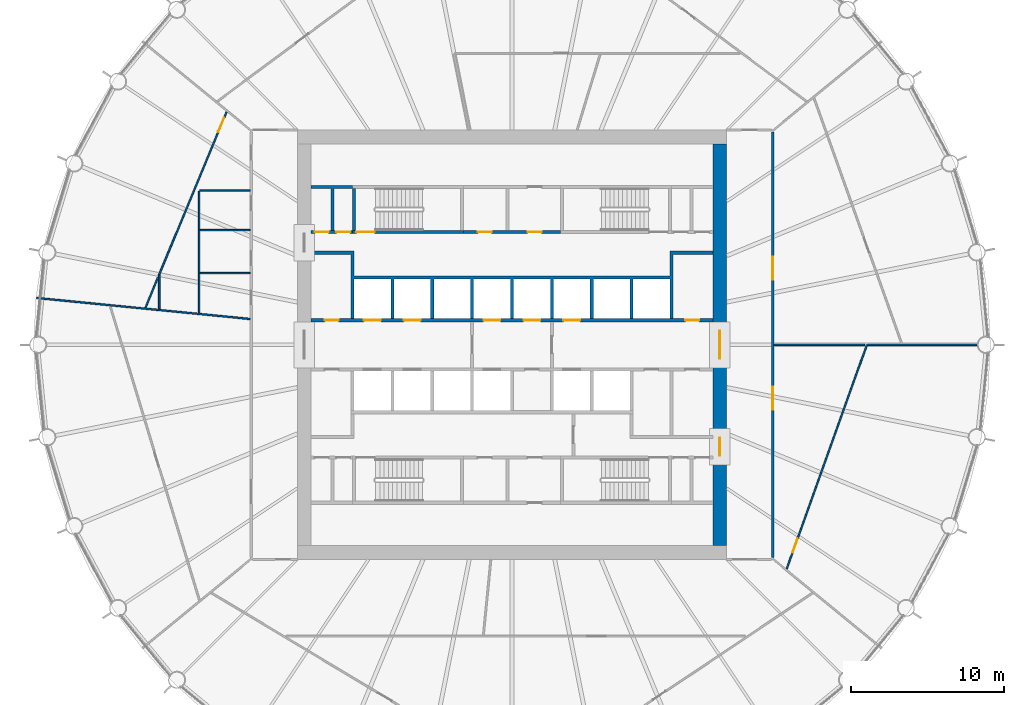
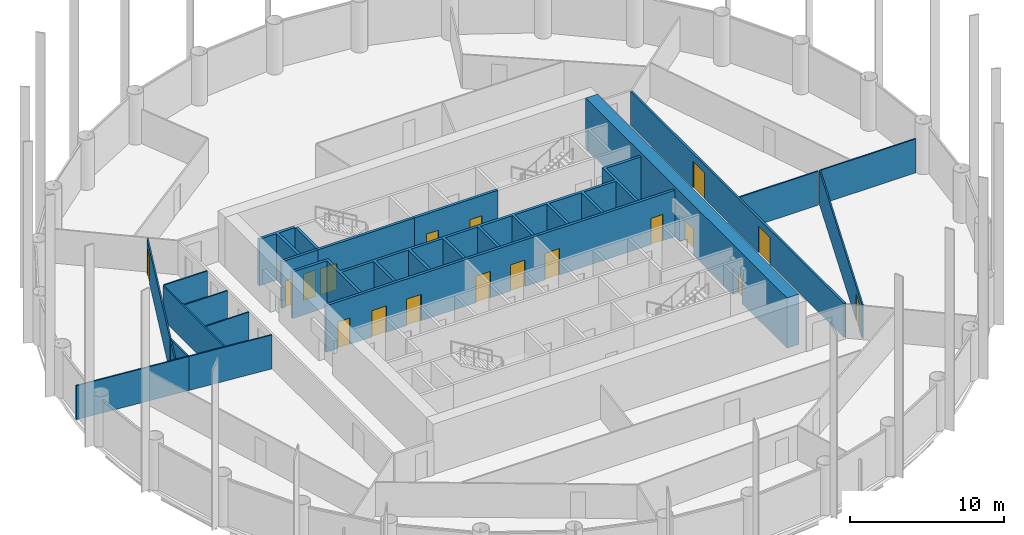
# One storey, part 6 of 9: 21 walls, 18 doors, 18 openings.
"""IFC4 building model written with IfcOpenShell, lengths in metres."""

from ifc_helpers import new_model, si_unit, direction, frame, frame_2d, origin, place, context, subcontext, project, spatial, polyline, rectangle, outline, extrude, material, layer, layer_set, type_object, element, fill, save


model = new_model("IFC4")

# Units and contexts
model_context = context("Model", 3, precision=1e-05, world=origin(), true_north=direction((0.0, 1.0)))
body_context = subcontext(model_context, "Body", "Model", "MODEL_VIEW")
ifc_project = project(units=[si_unit("LENGTHUNIT", "METRE"), si_unit("AREAUNIT", "SQUARE_METRE"), si_unit("VOLUMEUNIT", "CUBIC_METRE"), si_unit("PLANEANGLEUNIT", "RADIAN"), si_unit("MASSUNIT", "GRAM", prefix="KILO")], contexts=[model_context])

# Site, building, storey
site_placement = place(None, origin())
site = spatial("IfcSite", under=ifc_project, at=site_placement, CompositionType="ELEMENT")
building_placement = place(site_placement, origin())
building = spatial("IfcBuilding", under=site, at=building_placement, Name="Corvane Civic Tower", CompositionType="ELEMENT")
storey_placement = place(building_placement, frame((0.0, 0.0, 160.0)))
storey = spatial("IfcBuildingStorey", under=building, at=storey_placement, Name="L37", CompositionType="ELEMENT", Elevation=160.0)

# Wall, openings, doors
ifc_material_1 = material(Name="Concrete C60/75", Category="concrete")
ifc_layer_1 = layer(ifc_material_1, 0.89990234375)
ifc_layer_set_1 = layer_set([ifc_layer_1], Name="Concrete C60/75")
wall_type_1 = type_object("IfcWallType", Name="CORE WALL 900 C60/75", PredefinedType="SHEAR", material=ifc_layer_set_1)
wall_1_placement = place(storey_placement, frame((13.550048828125, -13.10009765625, 0.0), z_axis=(0.0, 0.0, 1.0), x_axis=(0.0, 1.0, 0.0)))
wall_1 = element("IfcWall", 1, at=wall_1_placement, inside=storey, type_object=wall_type_1, Name="W-L37-core-E", PredefinedType="SHEAR", context=body_context, shape_type="SweptSolid", body=[
    extrude(rectangle(XDim=26.2001953125, YDim=0.89990234375, at=frame_2d((13.10009765625, 0.0))), origin(), (0.0, 0.0, 1.0), 4.0),
])
opening_1_placement = place(wall_1_placement, frame((12.199951171875, 0.0, 0.0)))
opening_1 = element("IfcOpeningElement", 2, at=opening_1_placement, cuts=wall_1, Name="Opening L37.C29", PredefinedType="OPENING", context=body_context, shape_type="SweptSolid", body=[
    extrude(rectangle(XDim=1.800048828125, YDim=2.10009765625, at=frame_2d((0.89990234375, 1.050048828125))), frame((0.0, 0.4599609375, 0.0), z_axis=(0.0, -1.0, 0.0), x_axis=(1.0, 0.0, 0.0)), (0.0, 0.0, 1.0), 0.919921875),
])
opening_2_placement = place(wall_1_placement, frame((5.85009765625, 0.0, 0.0)))
opening_2 = element("IfcOpeningElement", 3, at=opening_2_placement, cuts=wall_1, Name="Opening L37.C31", PredefinedType="OPENING", context=body_context, shape_type="SweptSolid", body=[
    extrude(rectangle(XDim=1.199951171875, YDim=2.10009765625, at=frame_2d((0.60009765625, 1.050048828125))), frame((0.0, 0.4599609375, 0.0), z_axis=(0.0, -1.0, 0.0), x_axis=(1.0, 0.0, 0.0)), (0.0, 0.0, 1.0), 0.919921875),
])
ifc_material_2 = material(Name="Steel fire door leaf", Category="steel")
door_type_1 = type_object("IfcDoorType", Name="CR-DOOR-CORE-1800", OperationType="DOUBLE_DOOR_SINGLE_SWING", PredefinedType="DOOR", material=ifc_material_2)
door_1_placement = place(opening_1_placement, origin())
door_1 = element("IfcDoor", 4, at=door_1_placement, inside=storey, type_object=door_type_1, Name="L37 door", OperationType="DOUBLE_DOOR_SINGLE_SWING", OverallHeight=2.10009765625, OverallWidth=1.800048828125, PredefinedType="DOOR", context=body_context, shape_type="SweptSolid", body=[
    extrude(rectangle(XDim=1.800048828125, YDim=2.10009765625, at=frame_2d((0.89990234375, 1.050048828125))), frame((0.0, 0.02490234375, 0.0), z_axis=(0.0, -1.0, 0.0), x_axis=(1.0, 0.0, 0.0)), (0.0, 0.0, 1.0), 0.050048828125),
])
fill(opening_1, door_1)
door_2_placement = place(opening_2_placement, origin())
door_2 = element("IfcDoor", 5, at=door_2_placement, inside=storey, type_object=door_type_1, Name="L37 door", OperationType="DOUBLE_DOOR_SINGLE_SWING", OverallHeight=2.10009765625, OverallWidth=1.199951171875, PredefinedType="DOOR", context=body_context, shape_type="SweptSolid", body=[
    extrude(rectangle(XDim=1.199951171875, YDim=2.10009765625, at=frame_2d((0.60009765625, 1.050048828125))), frame((0.0, 0.02490234375, 0.0), z_axis=(0.0, -1.0, 0.0), x_axis=(1.0, 0.0, 0.0)), (0.0, 0.0, 1.0), 0.050048828125),
])
fill(opening_2, door_2)

ifc_material_3 = material(Name="Concrete C30/37", Category="concrete")
ifc_layer_2 = layer(ifc_material_3, 0.199951171875)
ifc_layer_set_2 = layer_set([ifc_layer_2], Name="Concrete C30/37")
wall_type_2 = type_object("IfcWallType", Name="CR-WALL-200", PredefinedType="PARTITIONING", material=ifc_layer_set_2)
wall_2_placement = place(storey_placement, frame((-13.10009765625, 1.60009765625, 0.0), z_axis=(0.0, 0.0, 1.0), x_axis=(1.0, 0.0, 0.0)))
wall_2 = element("IfcWall", 6, at=wall_2_placement, inside=storey, type_object=wall_type_2, Name="L37 lift shaft wall", PredefinedType="PARTITIONING", context=body_context, shape_type="SweptSolid", body=[
    extrude(rectangle(XDim=26.2001953125, YDim=0.199951171875, at=frame_2d((13.10009765625, 0.0))), origin(), (0.0, 0.0, 1.0), 3.699951171875),
])
opening_3_placement = place(wall_2_placement, frame((3.449951171875, 0.0, 0.0)))
opening_3 = element("IfcOpeningElement", 7, at=opening_3_placement, cuts=wall_2, Name="Opening LD", PredefinedType="OPENING", context=body_context, shape_type="SweptSolid", body=[
    extrude(rectangle(XDim=1.10009765625, YDim=2.10009765625, at=frame_2d((0.550048828125, 1.050048828125))), frame((0.0, 0.10986328125, 0.0), z_axis=(0.0, -1.0, 0.0), x_axis=(1.0, 0.0, 0.0)), (0.0, 0.0, 1.0), 0.219970703125),
])
opening_4_placement = place(wall_2_placement, frame((6.050048828125, 0.0, 0.0)))
opening_4 = element("IfcOpeningElement", 8, at=opening_4_placement, cuts=wall_2, Name="Opening LD", PredefinedType="OPENING", context=body_context, shape_type="SweptSolid", body=[
    extrude(rectangle(XDim=1.10009765625, YDim=2.10009765625, at=frame_2d((0.550048828125, 1.050048828125))), frame((0.0, 0.10986328125, 0.0), z_axis=(0.0, -1.0, 0.0), x_axis=(1.0, 0.0, 0.0)), (0.0, 0.0, 1.0), 0.219970703125),
])
opening_5_placement = place(wall_2_placement, frame((11.25, 0.0, 0.0)))
opening_5 = element("IfcOpeningElement", 9, at=opening_5_placement, cuts=wall_2, Name="Opening LD", PredefinedType="OPENING", context=body_context, shape_type="SweptSolid", body=[
    extrude(rectangle(XDim=1.10009765625, YDim=2.10009765625, at=frame_2d((0.550048828125, 1.050048828125))), frame((0.0, 0.10986328125, 0.0), z_axis=(0.0, -1.0, 0.0), x_axis=(1.0, 0.0, 0.0)), (0.0, 0.0, 1.0), 0.219970703125),
])
opening_6_placement = place(wall_2_placement, frame((13.85009765625, 0.0, 0.0)))
opening_6 = element("IfcOpeningElement", 10, at=opening_6_placement, cuts=wall_2, Name="Opening LD", PredefinedType="OPENING", context=body_context, shape_type="SweptSolid", body=[
    extrude(rectangle(XDim=1.10009765625, YDim=2.10009765625, at=frame_2d((0.550048828125, 1.050048828125))), frame((0.0, 0.10986328125, 0.0), z_axis=(0.0, -1.0, 0.0), x_axis=(1.0, 0.0, 0.0)), (0.0, 0.0, 1.0), 0.219970703125),
])
opening_7_placement = place(wall_2_placement, frame((16.449951171875, 0.0, 0.0)))
opening_7 = element("IfcOpeningElement", 11, at=opening_7_placement, cuts=wall_2, Name="Opening LD", PredefinedType="OPENING", context=body_context, shape_type="SweptSolid", body=[
    extrude(rectangle(XDim=1.10009765625, YDim=2.10009765625, at=frame_2d((0.550048828125, 1.050048828125))), frame((0.0, 0.10986328125, 0.0), z_axis=(0.0, -1.0, 0.0), x_axis=(1.0, 0.0, 0.0)), (0.0, 0.0, 1.0), 0.219970703125),
])
opening_8_placement = place(wall_2_placement, frame((0.89990234375, 0.0, 0.0)))
opening_8 = element("IfcOpeningElement", 12, at=opening_8_placement, cuts=wall_2, Name="Opening L37.C01", PredefinedType="OPENING", context=body_context, shape_type="SweptSolid", body=[
    extrude(rectangle(XDim=0.89990234375, YDim=2.10009765625, at=frame_2d((0.449951171875, 1.050048828125))), frame((0.0, 0.10986328125, 0.0), z_axis=(0.0, -1.0, 0.0), x_axis=(1.0, 0.0, 0.0)), (0.0, 0.0, 1.0), 0.219970703125),
])
opening_9_placement = place(wall_2_placement, frame((24.39990234375, 0.0, 0.0)))
opening_9 = element("IfcOpeningElement", 13, at=opening_9_placement, cuts=wall_2, Name="Opening L37.C02", PredefinedType="OPENING", context=body_context, shape_type="SweptSolid", body=[
    extrude(rectangle(XDim=0.89990234375, YDim=2.10009765625, at=frame_2d((0.449951171875, 1.050048828125))), frame((0.0, 0.10986328125, 0.0), z_axis=(0.0, -1.0, 0.0), x_axis=(1.0, 0.0, 0.0)), (0.0, 0.0, 1.0), 0.219970703125),
])
ifc_material_4 = material(Name="Steel fire door leaf", Category="steel")
door_type_2 = type_object("IfcDoorType", Name="CR-DOOR-900", OperationType="SINGLE_SWING_LEFT", PredefinedType="DOOR", material=ifc_material_4)
door_3_placement = place(opening_8_placement, origin())
door_3 = element("IfcDoor", 14, at=door_3_placement, inside=storey, type_object=door_type_2, Name="L37 door", OperationType="SINGLE_SWING_LEFT", OverallHeight=2.10009765625, OverallWidth=0.89990234375, PredefinedType="DOOR", context=body_context, shape_type="SweptSolid", body=[
    extrude(rectangle(XDim=0.89990234375, YDim=2.10009765625, at=frame_2d((0.449951171875, 1.050048828125))), frame((0.0, 0.02490234375, 0.0), z_axis=(0.0, -1.0, 0.0), x_axis=(1.0, 0.0, 0.0)), (0.0, 0.0, 1.0), 0.050048828125),
])
fill(opening_8, door_3)
door_4_placement = place(opening_9_placement, origin())
door_4 = element("IfcDoor", 15, at=door_4_placement, inside=storey, type_object=door_type_2, Name="L37 door", OperationType="SINGLE_SWING_LEFT", OverallHeight=2.10009765625, OverallWidth=0.89990234375, PredefinedType="DOOR", context=body_context, shape_type="SweptSolid", body=[
    extrude(rectangle(XDim=0.89990234375, YDim=2.10009765625, at=frame_2d((0.449951171875, 1.050048828125))), frame((0.0, 0.02490234375, 0.0), z_axis=(0.0, -1.0, 0.0), x_axis=(1.0, 0.0, 0.0)), (0.0, 0.0, 1.0), 0.050048828125),
])
fill(opening_9, door_4)
ifc_material_5 = material(Name="Stainless steel 316 door leaves", Category="steel")
door_type_3 = type_object("IfcDoorType", Name="LD", OperationType="DOUBLE_DOOR_SLIDING", PredefinedType="DOOR", material=ifc_material_5)
door_5_placement = place(opening_3_placement, origin())
door_5 = element("IfcDoor", 16, at=door_5_placement, inside=storey, type_object=door_type_3, Name="L37 landing door", OperationType="DOUBLE_DOOR_SLIDING", OverallHeight=2.10009765625, OverallWidth=1.10009765625, PredefinedType="DOOR", context=body_context, shape_type="SweptSolid", body=[
    extrude(rectangle(XDim=1.10009765625, YDim=2.10009765625, at=frame_2d((0.550048828125, 1.050048828125))), frame((0.0, 0.02490234375, 0.0), z_axis=(0.0, -1.0, 0.0), x_axis=(1.0, 0.0, 0.0)), (0.0, 0.0, 1.0), 0.050048828125),
])
fill(opening_3, door_5)
door_6_placement = place(opening_4_placement, origin())
door_6 = element("IfcDoor", 17, at=door_6_placement, inside=storey, type_object=door_type_3, Name="L37 landing door", OperationType="DOUBLE_DOOR_SLIDING", OverallHeight=2.10009765625, OverallWidth=1.10009765625, PredefinedType="DOOR", context=body_context, shape_type="SweptSolid", body=[
    extrude(rectangle(XDim=1.10009765625, YDim=2.10009765625, at=frame_2d((0.550048828125, 1.050048828125))), frame((0.0, 0.02490234375, 0.0), z_axis=(0.0, -1.0, 0.0), x_axis=(1.0, 0.0, 0.0)), (0.0, 0.0, 1.0), 0.050048828125),
])
fill(opening_4, door_6)
door_7_placement = place(opening_5_placement, origin())
door_7 = element("IfcDoor", 18, at=door_7_placement, inside=storey, type_object=door_type_3, Name="L37 landing door", OperationType="DOUBLE_DOOR_SLIDING", OverallHeight=2.10009765625, OverallWidth=1.10009765625, PredefinedType="DOOR", context=body_context, shape_type="SweptSolid", body=[
    extrude(rectangle(XDim=1.10009765625, YDim=2.10009765625, at=frame_2d((0.550048828125, 1.050048828125))), frame((0.0, 0.02490234375, 0.0), z_axis=(0.0, -1.0, 0.0), x_axis=(1.0, 0.0, 0.0)), (0.0, 0.0, 1.0), 0.050048828125),
])
fill(opening_5, door_7)
door_8_placement = place(opening_6_placement, origin())
door_8 = element("IfcDoor", 19, at=door_8_placement, inside=storey, type_object=door_type_3, Name="L37 landing door", OperationType="DOUBLE_DOOR_SLIDING", OverallHeight=2.10009765625, OverallWidth=1.10009765625, PredefinedType="DOOR", context=body_context, shape_type="SweptSolid", body=[
    extrude(rectangle(XDim=1.10009765625, YDim=2.10009765625, at=frame_2d((0.550048828125, 1.050048828125))), frame((0.0, 0.02490234375, 0.0), z_axis=(0.0, -1.0, 0.0), x_axis=(1.0, 0.0, 0.0)), (0.0, 0.0, 1.0), 0.050048828125),
])
fill(opening_6, door_8)
door_9_placement = place(opening_7_placement, origin())
door_9 = element("IfcDoor", 20, at=door_9_placement, inside=storey, type_object=door_type_3, Name="L37 landing door", OperationType="DOUBLE_DOOR_SLIDING", OverallHeight=2.10009765625, OverallWidth=1.10009765625, PredefinedType="DOOR", context=body_context, shape_type="SweptSolid", body=[
    extrude(rectangle(XDim=1.10009765625, YDim=2.10009765625, at=frame_2d((0.550048828125, 1.050048828125))), frame((0.0, 0.02490234375, 0.0), z_axis=(0.0, -1.0, 0.0), x_axis=(1.0, 0.0, 0.0)), (0.0, 0.0, 1.0), 0.050048828125),
])
fill(opening_7, door_9)

wall_3_placement = place(storey_placement, frame((-13.10009765625, 7.35009765625, 0.0), z_axis=(0.0, 0.0, 1.0), x_axis=(1.0, 0.0, 0.0)))
wall_3 = element("IfcWall", 21, at=wall_3_placement, inside=storey, type_object=wall_type_2, Name="L37 core partition wall", PredefinedType="PARTITIONING", context=body_context, shape_type="SweptSolid", body=[
    extrude(rectangle(XDim=2.7001953125, YDim=0.199951171875, at=frame_2d((1.35009765625, 0.0))), origin(), (0.0, 0.0, 1.0), 3.699951171875),
])
opening_10_placement = place(wall_3_placement, frame((0.25, 0.0, 0.0)))
opening_10 = element("IfcOpeningElement", 22, at=opening_10_placement, cuts=wall_3, Name="Opening L37.C13", PredefinedType="OPENING", context=body_context, shape_type="SweptSolid", body=[
    extrude(rectangle(XDim=0.89990234375, YDim=2.10009765625, at=frame_2d((0.449951171875, 1.050048828125))), frame((0.0, 0.10986328125, 0.0), z_axis=(0.0, -1.0, 0.0), x_axis=(1.0, 0.0, 0.0)), (0.0, 0.0, 1.0), 0.219970703125),
])
opening_11_placement = place(wall_3_placement, frame((1.64990234375, 0.0, 0.0)))
opening_11 = element("IfcOpeningElement", 23, at=opening_11_placement, cuts=wall_3, Name="Opening L37.C14", PredefinedType="OPENING", context=body_context, shape_type="SweptSolid", body=[
    extrude(rectangle(XDim=0.89990234375, YDim=2.10009765625, at=frame_2d((0.449951171875, 1.050048828125))), frame((0.0, 0.10986328125, 0.0), z_axis=(0.0, -1.0, 0.0), x_axis=(1.0, 0.0, 0.0)), (0.0, 0.0, 1.0), 0.219970703125),
])
door_10_placement = place(opening_10_placement, origin())
door_10 = element("IfcDoor", 24, at=door_10_placement, inside=storey, type_object=door_type_2, Name="L37 door", OperationType="SINGLE_SWING_LEFT", OverallHeight=2.10009765625, OverallWidth=0.89990234375, PredefinedType="DOOR", context=body_context, shape_type="SweptSolid", body=[
    extrude(rectangle(XDim=0.89990234375, YDim=2.10009765625, at=frame_2d((0.449951171875, 1.050048828125))), frame((0.0, 0.02490234375, 0.0), z_axis=(0.0, -1.0, 0.0), x_axis=(1.0, 0.0, 0.0)), (0.0, 0.0, 1.0), 0.050048828125),
])
fill(opening_10, door_10)
door_11_placement = place(opening_11_placement, origin())
door_11 = element("IfcDoor", 25, at=door_11_placement, inside=storey, type_object=door_type_2, Name="L37 door", OperationType="SINGLE_SWING_LEFT", OverallHeight=2.10009765625, OverallWidth=0.89990234375, PredefinedType="DOOR", context=body_context, shape_type="SweptSolid", body=[
    extrude(rectangle(XDim=0.89990234375, YDim=2.10009765625, at=frame_2d((0.449951171875, 1.050048828125))), frame((0.0, 0.02490234375, 0.0), z_axis=(0.0, -1.0, 0.0), x_axis=(1.0, 0.0, 0.0)), (0.0, 0.0, 1.0), 0.050048828125),
])
fill(opening_11, door_11)

wall_4_placement = place(storey_placement, frame((-3.14990234375, 7.35009765625, 0.0), z_axis=(0.0, 0.0, 1.0), x_axis=(1.0, 0.0, 0.0)))
wall_4 = element("IfcWall", 26, at=wall_4_placement, inside=storey, type_object=wall_type_2, Name="L37 core partition wall", PredefinedType="PARTITIONING", context=body_context, shape_type="SweptSolid", body=[
    extrude(rectangle(XDim=6.2998046875, YDim=0.199951171875, at=frame_2d((3.14990234375, 0.0))), origin(), (0.0, 0.0, 1.0), 3.699951171875),
])
opening_12_placement = place(wall_4_placement, frame((0.925048828125, 0.0, 0.0)))
opening_12 = element("IfcOpeningElement", 27, at=opening_12_placement, cuts=wall_4, Name="Opening L37.C07", PredefinedType="OPENING", context=body_context, shape_type="SweptSolid", body=[
    extrude(rectangle(XDim=0.89990234375, YDim=2.10009765625, at=frame_2d((0.449951171875, 1.050048828125))), frame((0.0, 0.10986328125, 0.0), z_axis=(0.0, -1.0, 0.0), x_axis=(1.0, 0.0, 0.0)), (0.0, 0.0, 1.0), 0.219970703125),
])
opening_13_placement = place(wall_4_placement, frame((4.175048828125, 0.0, 0.0)))
opening_13 = element("IfcOpeningElement", 28, at=opening_13_placement, cuts=wall_4, Name="Opening L37.C08", PredefinedType="OPENING", context=body_context, shape_type="SweptSolid", body=[
    extrude(rectangle(XDim=0.89990234375, YDim=2.10009765625, at=frame_2d((0.449951171875, 1.050048828125))), frame((0.0, 0.10986328125, 0.0), z_axis=(0.0, -1.0, 0.0), x_axis=(1.0, 0.0, 0.0)), (0.0, 0.0, 1.0), 0.219970703125),
])
door_12_placement = place(opening_12_placement, origin())
door_12 = element("IfcDoor", 29, at=door_12_placement, inside=storey, type_object=door_type_2, Name="L37 door", OperationType="SINGLE_SWING_LEFT", OverallHeight=2.10009765625, OverallWidth=0.89990234375, PredefinedType="DOOR", context=body_context, shape_type="SweptSolid", body=[
    extrude(rectangle(XDim=0.89990234375, YDim=2.10009765625, at=frame_2d((0.449951171875, 1.050048828125))), frame((0.0, 0.02490234375, 0.0), z_axis=(0.0, -1.0, 0.0), x_axis=(1.0, 0.0, 0.0)), (0.0, 0.0, 1.0), 0.050048828125),
])
fill(opening_12, door_12)
door_13_placement = place(opening_13_placement, origin())
door_13 = element("IfcDoor", 30, at=door_13_placement, inside=storey, type_object=door_type_2, Name="L37 door", OperationType="SINGLE_SWING_LEFT", OverallHeight=2.10009765625, OverallWidth=0.89990234375, PredefinedType="DOOR", context=body_context, shape_type="SweptSolid", body=[
    extrude(rectangle(XDim=0.89990234375, YDim=2.10009765625, at=frame_2d((0.449951171875, 1.050048828125))), frame((0.0, 0.02490234375, 0.0), z_axis=(0.0, -1.0, 0.0), x_axis=(1.0, 0.0, 0.0)), (0.0, 0.0, 1.0), 0.050048828125),
])
fill(opening_13, door_13)

# Walls
wall_5_placement = place(storey_placement, origin())
element("IfcWall", 31, at=wall_5_placement, inside=storey, type_object=wall_type_2, Name="L37 core partition wall", PredefinedType="PARTITIONING", context=body_context, shape_type="SweptSolid", body=[
    extrude(outline(polyline([(-13.10009765625, 10.39990234375), (-10.39990234375, 10.39990234375), (-10.39990234375, 10.199951171875), (-11.60009765625, 10.199951171875), (-11.60009765625, 7.449951171875), (-11.800048828125, 7.449951171875), (-11.800048828125, 10.199951171875), (-13.10009765625, 10.199951171875), (-13.10009765625, 10.39990234375)])), origin(), (0.0, 0.0, 1.0), 3.699951171875),
])
wall_6_placement = place(storey_placement, origin())
element("IfcWall", 32, at=wall_6_placement, inside=storey, type_object=wall_type_2, Name="L37 core partition wall", PredefinedType="PARTITIONING", context=body_context, shape_type="SweptSolid", body=[
    extrude(outline(polyline([(-10.300048828125, 1.699951171875), (-10.5, 1.699951171875), (-10.5, 5.89990234375), (-13.10009765625, 5.89990234375), (-13.10009765625, 6.10009765625), (-10.300048828125, 6.10009765625), (-10.300048828125, 4.5), (10.300048828125, 4.5), (10.300048828125, 6.10009765625), (13.10009765625, 6.10009765625), (13.10009765625, 5.89990234375), (10.5, 5.89990234375), (10.5, 1.699951171875), (10.300048828125, 1.699951171875), (10.300048828125, 4.300048828125), (7.89990234375, 4.300048828125), (7.89990234375, 1.699951171875), (7.699951171875, 1.699951171875), (7.699951171875, 4.300048828125), (5.300048828125, 4.300048828125), (5.300048828125, 1.699951171875), (5.10009765625, 1.699951171875), (5.10009765625, 4.300048828125), (2.699951171875, 4.300048828125), (2.699951171875, 1.699951171875), (2.5, 1.699951171875), (2.5, 4.300048828125), (0.10009765625, 4.300048828125), (0.10009765625, 1.699951171875), (-0.10009765625, 1.699951171875), (-0.10009765625, 4.300048828125), (-2.5, 4.300048828125), (-2.5, 1.699951171875), (-2.699951171875, 1.699951171875), (-2.699951171875, 4.300048828125), (-5.10009765625, 4.300048828125), (-5.10009765625, 1.699951171875), (-5.300048828125, 1.699951171875), (-5.300048828125, 4.300048828125), (-7.699951171875, 4.300048828125), (-7.699951171875, 1.699951171875), (-7.89990234375, 1.699951171875), (-7.89990234375, 4.300048828125), (-10.300048828125, 4.300048828125), (-10.300048828125, 1.699951171875)])), origin(), (0.0, 0.0, 1.0), 3.699951171875),
])

# Wall, opening, door
ifc_material_6 = material(Name="Plasterboard")
ifc_layer_3 = layer(ifc_material_6, 0.10009765625)
ifc_layer_set_3 = layer_set([ifc_layer_3], Name="Plasterboard")
wall_type_3 = type_object("IfcWallType", Name="Partition 100 plasterboard on studs", PredefinedType="PARTITIONING", material=ifc_layer_set_3)
wall_7_placement = place(storey_placement, frame((17.911865234375, -14.61328125, 0.0), z_axis=(0.0, 0.0, 1.0), x_axis=(0.336892373853, 0.941543163344, 0.0)))
wall_7 = element("IfcWall", 33, at=wall_7_placement, inside=storey, type_object=wall_type_3, Name="Partition L37.011", PredefinedType="PARTITIONING", context=body_context, shape_type="SweptSolid", body=[
    extrude(rectangle(XDim=15.5205078125, YDim=0.10009765625, at=frame_2d((7.76025390625, 0.0))), origin(), (0.0, 0.0, 1.0), 2.699951171875),
])
opening_14_placement = place(wall_7_placement, frame((1.111328125, 0.0, 0.0)))
opening_14 = element("IfcOpeningElement", 34, at=opening_14_placement, cuts=wall_7, Name="Opening L37.014", PredefinedType="OPENING", context=body_context, shape_type="SweptSolid", body=[
    extrude(rectangle(XDim=1.0, YDim=2.10009765625, at=frame_2d((0.5, 1.050048828125))), frame((0.0, 0.06005859375, 0.0), z_axis=(0.0, -1.0, 0.0), x_axis=(1.0, 0.0, 0.0)), (0.0, 0.0, 1.0), 0.1201171875),
])
ifc_material_7 = material(Name="Timber", Category="wood")
door_type_4 = type_object("IfcDoorType", Name="Single door 1000", OperationType="NOTDEFINED", PredefinedType="DOOR", material=ifc_material_7)
door_14_placement = place(opening_14_placement, frame((1.0, 0.0, 0.0), z_axis=(0.0, 0.0, 1.0), x_axis=(-1.0, 0.0, 0.0)))
door_14 = element("IfcDoor", 35, at=door_14_placement, inside=storey, type_object=door_type_4, Name="Door L37.014", OperationType="SINGLE_SWING_LEFT", OverallHeight=2.10009765625, OverallWidth=1.0, PredefinedType="DOOR", context=body_context, shape_type="SweptSolid", body=[
    extrude(rectangle(XDim=1.0, YDim=2.10009765625, at=frame_2d((0.5, 1.050048828125))), frame((0.0, 0.02490234375, 0.0), z_axis=(0.0, -1.0, 0.0), x_axis=(1.0, 0.0, 0.0)), (0.0, 0.0, 1.0), 0.050048828125),
])
fill(opening_14, door_14)

# Walls
wall_8_placement = place(storey_placement, frame((17.074951171875, 0.0, 0.0), z_axis=(0.0, 0.0, 1.0), x_axis=(1.0, 0.0, 0.0)))
element("IfcWall", 36, at=wall_8_placement, inside=storey, type_object=wall_type_3, Name="Partition L37.016", PredefinedType="PARTITIONING", context=body_context, shape_type="SweptSolid", body=[
    extrude(rectangle(XDim=5.925048828125, YDim=0.10009765625, at=frame_2d((2.96240234375, 0.0))), origin(), (0.0, 0.0, 1.0), 2.699951171875),
])
wall_9_placement = place(storey_placement, frame((23.1806640625, 0.0, 0.0), z_axis=(0.0, 0.0, 1.0), x_axis=(1.0, 0.0, 0.0)))
element("IfcWall", 37, at=wall_9_placement, inside=storey, type_object=wall_type_3, Name="Partition L37.017", PredefinedType="PARTITIONING", context=body_context, shape_type="SweptSolid", body=[
    extrude(rectangle(XDim=7.1591796875, YDim=0.10009765625, at=frame_2d((3.57958984375, 0.0))), origin(), (0.0, 0.0, 1.0), 2.699951171875),
])
wall_10_placement = place(storey_placement, frame((-23.0, 2.265380859375, 0.0), z_axis=(0.0, 0.0, 1.0), x_axis=(0.995181996219, -0.098044859127, 0.0)))
element("IfcWall", 38, at=wall_10_placement, inside=storey, type_object=wall_type_3, Name="Partition L37.019", PredefinedType="PARTITIONING", context=body_context, shape_type="SweptSolid", body=[
    extrude(rectangle(XDim=5.94873046875, YDim=0.10009765625, at=frame_2d((2.974365234375, 0.0))), origin(), (0.0, 0.0, 1.0), 2.699951171875),
])
wall_11_placement = place(storey_placement, frame((-20.39990234375, 2.064453125, 0.0), z_axis=(0.0, 0.0, 1.0), x_axis=(0.0, 1.0, 0.0)))
element("IfcWall", 39, at=wall_11_placement, inside=storey, type_object=wall_type_3, Name="Partition L37.020", PredefinedType="PARTITIONING", context=body_context, shape_type="SweptSolid", body=[
    extrude(rectangle(XDim=7.9599609375, YDim=0.10009765625, at=frame_2d((3.97998046875, 0.0))), origin(), (0.0, 0.0, 1.0), 2.699951171875),
])
wall_12_placement = place(storey_placement, frame((-31.000244140625, 3.05322265625, 0.0), z_axis=(0.0, 0.0, 1.0), x_axis=(0.995186103497, -0.098003160181, 0.0)))
element("IfcWall", 40, at=wall_12_placement, inside=storey, type_object=wall_type_3, Name="Partition L37.021", PredefinedType="PARTITIONING", context=body_context, shape_type="SweptSolid", body=[
    extrude(rectangle(XDim=8.0390625, YDim=0.10009765625, at=frame_2d((4.01953125, 0.0))), origin(), (0.0, 0.0, 1.0), 2.699951171875),
])

# Wall, opening, door
wall_13_placement = place(storey_placement, frame((-23.010009765625, 4.56787109375, 0.0), z_axis=(0.0, 0.0, 1.0), x_axis=(0.382698123591, 0.923873447069, 0.0)))
wall_13 = element("IfcWall", 41, at=wall_13_placement, inside=storey, type_object=wall_type_3, Name="Partition L37.022", PredefinedType="PARTITIONING", context=body_context, shape_type="SweptSolid", body=[
    extrude(rectangle(XDim=11.4970703125, YDim=0.10009765625, at=frame_2d((5.74853515625, 0.0))), origin(), (0.0, 0.0, 1.0), 2.699951171875),
])
opening_15_placement = place(wall_13_placement, frame((10.075439453125, 0.0, 0.0)))
opening_15 = element("IfcOpeningElement", 42, at=opening_15_placement, cuts=wall_13, Name="Opening L37.018", PredefinedType="OPENING", context=body_context, shape_type="SweptSolid", body=[
    extrude(rectangle(XDim=1.0, YDim=2.10009765625, at=frame_2d((0.5, 1.050048828125))), frame((0.0, 0.06005859375, 0.0), z_axis=(0.0, -1.0, 0.0), x_axis=(1.0, 0.0, 0.0)), (0.0, 0.0, 1.0), 0.1201171875),
])
door_15_placement = place(opening_15_placement, origin())
door_15 = element("IfcDoor", 43, at=door_15_placement, inside=storey, type_object=door_type_4, Name="Door L37.018", OperationType="SINGLE_SWING_LEFT", OverallHeight=2.10009765625, OverallWidth=1.0, PredefinedType="DOOR", context=body_context, shape_type="SweptSolid", body=[
    extrude(rectangle(XDim=1.0, YDim=2.10009765625, at=frame_2d((0.5, 1.050048828125))), frame((0.0, 0.02490234375, 0.0), z_axis=(0.0, -1.0, 0.0), x_axis=(1.0, 0.0, 0.0)), (0.0, 0.0, 1.0), 0.050048828125),
])
fill(opening_15, door_15)

# Walls
for number, where, z_axis, x_axis, name in (
    (44, (-20.35009765625, 4.67431640625, 0.0), (0.0, 0.0, 1.0), (1.0, 0.0, 0.0), "Partition L37.023"),
    (45, (-20.35009765625, 7.474365234375, 0.0), (0.0, 0.0, 1.0), (1.0, 0.0, 0.0), "Partition L37.024"),
    (46, (-20.35009765625, 10.074462890625, 0.0), (0.0, 0.0, 1.0), (1.0, 0.0, 0.0), "Partition L37.025"),
):
    element("IfcWall", number, at=place(storey_placement, frame(where, z_axis=z_axis, x_axis=x_axis)), inside=storey, type_object=wall_type_3, Name=name, PredefinedType="PARTITIONING", context=body_context, shape_type="SweptSolid", body=[
        extrude(rectangle(XDim=3.275146484375, YDim=0.10009765625, at=frame_2d((1.6376953125, 0.0))), origin(), (0.0, 0.0, 1.0), 2.699951171875),
    ])
wall_14_placement = place(storey_placement, frame((-23.889892578125, 2.443359375, 0.0), z_axis=(0.0, 0.0, 1.0), x_axis=(0.382640634603, 0.923897258763, 0.0)))
element("IfcWall", 47, at=wall_14_placement, inside=storey, type_object=wall_type_3, Name="Partition L37.037", PredefinedType="PARTITIONING", context=body_context, shape_type="SweptSolid", body=[
    extrude(rectangle(XDim=2.09033203125, YDim=0.10009765625, at=frame_2d((1.045166015625, 0.0))), origin(), (0.0, 0.0, 1.0), 2.699951171875),
])
wall_15_placement = place(storey_placement, frame((-23.0, 2.355712890625, 0.0), z_axis=(0.0, 0.0, 1.0), x_axis=(0.0, 1.0, 0.0)))
element("IfcWall", 48, at=wall_15_placement, inside=storey, type_object=wall_type_3, Name="Partition L37.038", PredefinedType="PARTITIONING", context=body_context, shape_type="SweptSolid", body=[
    extrude(rectangle(XDim=2.2080078125, YDim=0.10009765625, at=frame_2d((1.10400390625, 0.0))), origin(), (0.0, 0.0, 1.0), 2.699951171875),
])

# Wall, opening, door
ifc_material_8 = material(Name="Concrete C50/60", Category="concrete")
ifc_layer_4 = layer(ifc_material_8, 0.199951171875)
ifc_layer_set_4 = layer_set([ifc_layer_4], Name="Concrete C50/60")
wall_type_4 = type_object("IfcWallType", Name="ST-WALL-200", PredefinedType="SHEAR", material=ifc_layer_set_4)
wall_16_placement = place(storey_placement, frame((-10.39990234375, 7.35009765625, 0.0), z_axis=(0.0, 0.0, 1.0), x_axis=(1.0, 0.0, 0.0)))
wall_16 = element("IfcWall", 49, at=wall_16_placement, inside=storey, type_object=wall_type_4, Name="L37 stair enclosure wall", PredefinedType="SHEAR", context=body_context, shape_type="SweptSolid", body=[
    extrude(rectangle(XDim=7.25, YDim=0.199951171875, at=frame_2d((3.625, 0.0))), origin(), (0.0, 0.0, 1.0), 3.699951171875),
])
opening_16_placement = place(wall_16_placement, frame((0.25, 0.0, 0.0)))
opening_16 = element("IfcOpeningElement", 50, at=opening_16_placement, cuts=wall_16, Name="Opening L37.C22", PredefinedType="OPENING", context=body_context, shape_type="SweptSolid", body=[
    extrude(rectangle(XDim=1.199951171875, YDim=2.10009765625, at=frame_2d((0.60009765625, 1.050048828125))), frame((0.0, 0.10986328125, 0.0), z_axis=(0.0, -1.0, 0.0), x_axis=(1.0, 0.0, 0.0)), (0.0, 0.0, 1.0), 0.219970703125),
])
ifc_material_9 = material(Name="Steel fire door leaf", Category="steel")
door_type_5 = type_object("IfcDoorType", Name="ST-DOOR-1200", OperationType="SINGLE_SWING_RIGHT", PredefinedType="DOOR", material=ifc_material_9)
door_16_placement = place(opening_16_placement, origin())
door_16 = element("IfcDoor", 51, at=door_16_placement, inside=storey, type_object=door_type_5, Name="L37 stair door", OperationType="SINGLE_SWING_RIGHT", OverallHeight=2.10009765625, OverallWidth=1.199951171875, PredefinedType="DOOR", context=body_context, shape_type="SweptSolid", body=[
    extrude(rectangle(XDim=1.199951171875, YDim=2.10009765625, at=frame_2d((0.60009765625, 1.050048828125))), frame((0.0, 0.02490234375, 0.0), z_axis=(0.0, -1.0, 0.0), x_axis=(1.0, 0.0, 0.0)), (0.0, 0.0, 1.0), 0.050048828125),
])
fill(opening_16, door_16)

# Wall
wall_17_placement = place(storey_placement, origin())
element("IfcWall", 52, at=wall_17_placement, inside=storey, type_object=wall_type_4, Name="L37 stair enclosure wall", PredefinedType="SHEAR", context=body_context, shape_type="SweptSolid", body=[
    extrude(outline(polyline([(-10.199951171875, 7.449951171875), (-10.39990234375, 7.449951171875), (-10.39990234375, 10.199951171875), (-10.199951171875, 10.199951171875), (-10.199951171875, 7.449951171875)])), origin(), (0.0, 0.0, 1.0), 3.699951171875),
])

# Wall, openings, doors
ifc_material_10 = material(Name="Plasterboard")
ifc_layer_5 = layer(ifc_material_10, 0.14990234375)
ifc_layer_set_5 = layer_set([ifc_layer_5], Name="Plasterboard")
wall_type_5 = type_object("IfcWallType", Name="Tenancy wall 150 EI 60", PredefinedType="PARTITIONING", material=ifc_layer_set_5)
wall_18_placement = place(storey_placement, frame((17.0, -13.87646484375, 0.0), z_axis=(0.0, 0.0, 1.0), x_axis=(0.0, 1.0, 0.0)))
wall_18 = element("IfcWall", 53, at=wall_18_placement, inside=storey, type_object=wall_type_5, Name="Partition L37.015", PredefinedType="PARTITIONING", context=body_context, shape_type="SweptSolid", body=[
    extrude(rectangle(XDim=27.7529296875, YDim=0.14990234375, at=frame_2d((13.87646484375, 0.0))), origin(), (0.0, 0.0, 1.0), 2.699951171875),
])
opening_17_placement = place(wall_18_placement, frame((18.107177734375, 0.0, 0.0)))
opening_17 = element("IfcOpeningElement", 54, at=opening_17_placement, cuts=wall_18, Name="Opening L37.013", PredefinedType="OPENING", context=body_context, shape_type="SweptSolid", body=[
    extrude(rectangle(XDim=1.5, YDim=2.10009765625, at=frame_2d((0.75, 1.050048828125))), frame((0.0, 0.0849609375, 0.0), z_axis=(0.0, -1.0, 0.0), x_axis=(1.0, 0.0, 0.0)), (0.0, 0.0, 1.0), 0.169921875),
])
opening_18_placement = place(wall_18_placement, frame((9.640380859375, 0.0, 0.0)))
opening_18 = element("IfcOpeningElement", 55, at=opening_18_placement, cuts=wall_18, Name="Opening L37.015", PredefinedType="OPENING", context=body_context, shape_type="SweptSolid", body=[
    extrude(rectangle(XDim=1.5, YDim=2.10009765625, at=frame_2d((0.75, 1.050048828125))), frame((0.0, 0.0849609375, 0.0), z_axis=(0.0, -1.0, 0.0), x_axis=(1.0, 0.0, 0.0)), (0.0, 0.0, 1.0), 0.169921875),
])
ifc_material_11 = material(Name="Steel and timber", Category="steel")
door_type_6 = type_object("IfcDoorType", Name="Fire door FD60 double 1500", OperationType="NOTDEFINED", PredefinedType="DOOR", material=ifc_material_11)
door_17_placement = place(opening_17_placement, frame((1.5, 0.0, 0.0), z_axis=(0.0, 0.0, 1.0), x_axis=(-1.0, 0.0, 0.0)))
door_17 = element("IfcDoor", 56, at=door_17_placement, inside=storey, type_object=door_type_6, Name="Door L37.013", OperationType="DOUBLE_DOOR_SINGLE_SWING", OverallHeight=2.10009765625, OverallWidth=1.5, PredefinedType="DOOR", context=body_context, shape_type="SweptSolid", body=[
    extrude(rectangle(XDim=1.5, YDim=2.10009765625, at=frame_2d((0.75, 1.050048828125))), frame((0.0, 0.02490234375, 0.0), z_axis=(0.0, -1.0, 0.0), x_axis=(1.0, 0.0, 0.0)), (0.0, 0.0, 1.0), 0.050048828125),
])
fill(opening_17, door_17)
door_18_placement = place(opening_18_placement, frame((1.5, 0.0, 0.0), z_axis=(0.0, 0.0, 1.0), x_axis=(-1.0, 0.0, 0.0)))
door_18 = element("IfcDoor", 57, at=door_18_placement, inside=storey, type_object=door_type_6, Name="Door L37.015", OperationType="DOUBLE_DOOR_SINGLE_SWING", OverallHeight=2.10009765625, OverallWidth=1.5, PredefinedType="DOOR", context=body_context, shape_type="SweptSolid", body=[
    extrude(rectangle(XDim=1.5, YDim=2.10009765625, at=frame_2d((0.75, 1.050048828125))), frame((0.0, 0.02490234375, 0.0), z_axis=(0.0, -1.0, 0.0), x_axis=(1.0, 0.0, 0.0)), (0.0, 0.0, 1.0), 0.050048828125),
])
fill(opening_18, door_18)

save(model, "model.ifc")
